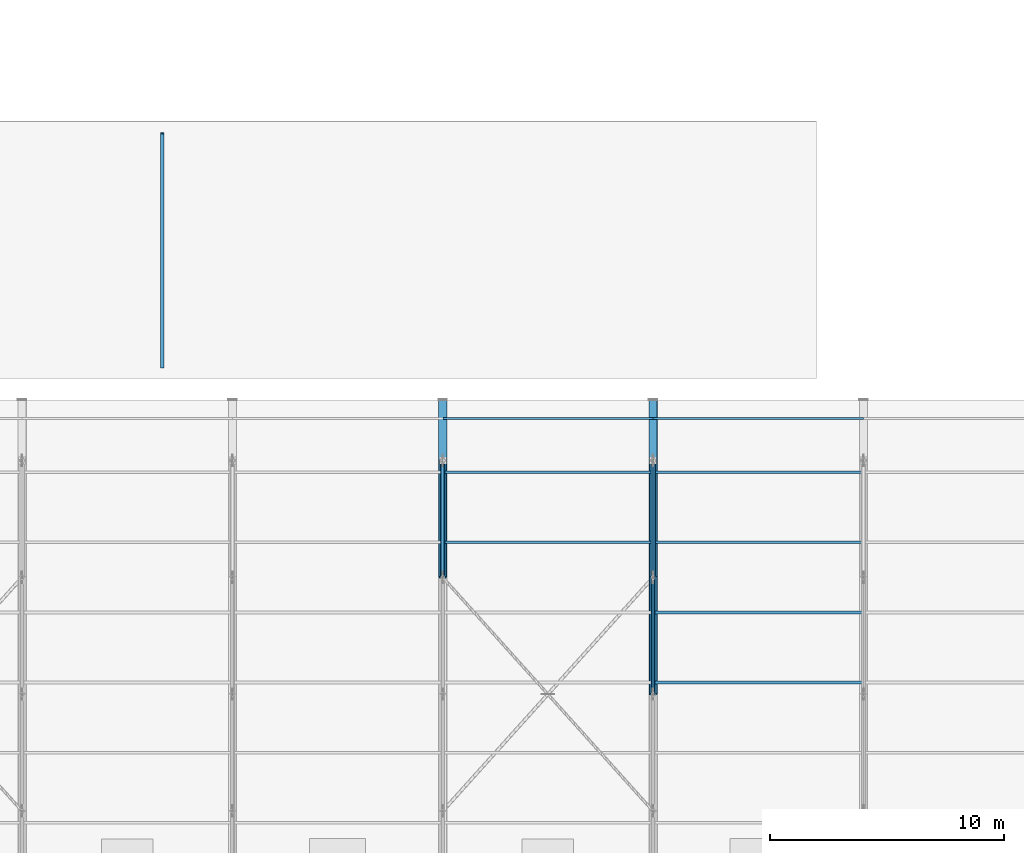
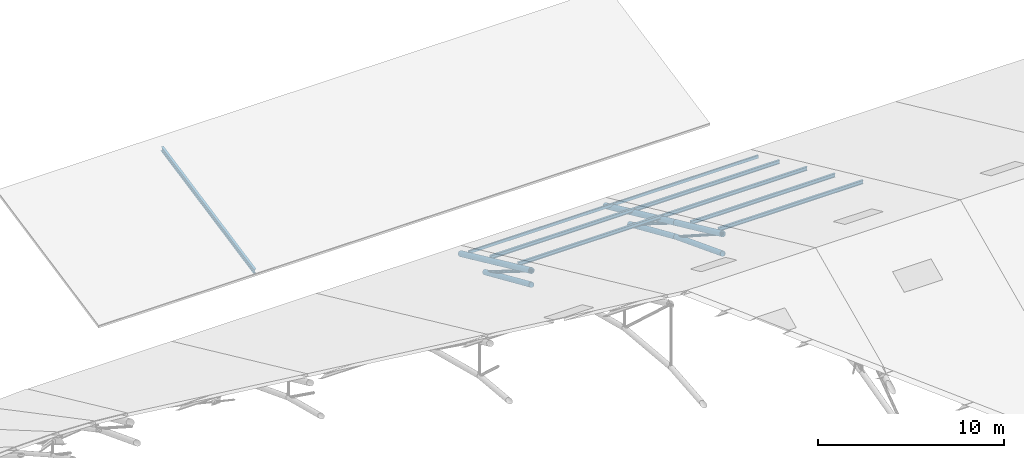
# One storey, part 47 of 107: 18 members.
"""IFC4 building model written with IfcOpenShell, lengths in metres."""

from ifc_helpers import new_model, si_unit, derived_unit, direction, frame, origin, origin_2d, place, context, subcontext, project, spatial, hollow_rectangle, hollow_circle, i_section, extrude, material, material_profile, profile_set, type_object, element, save


model = new_model("IFC4")

# Units and contexts
model_context = context("Model", 3, precision=1e-05, world=origin(), true_north=direction((0.0, 1.0)))
body_context = subcontext(model_context, "Body", "Model", "MODEL_VIEW")
ifc_project = project(units=[si_unit("LENGTHUNIT", "METRE"), si_unit("AREAUNIT", "SQUARE_METRE"), si_unit("VOLUMEUNIT", "CUBIC_METRE"), si_unit("PLANEANGLEUNIT", "RADIAN"), si_unit("MASSUNIT", "GRAM", prefix="KILO"), si_unit("THERMODYNAMICTEMPERATUREUNIT", "KELVIN"), si_unit("TIMEUNIT", "SECOND"), derived_unit("THERMALTRANSMITTANCEUNIT", [(si_unit("MASSUNIT", "GRAM", prefix="KILO"), 1), (si_unit("THERMODYNAMICTEMPERATUREUNIT", "KELVIN"), -1), (si_unit("TIMEUNIT", "SECOND"), -3)])], contexts=[model_context])

# Site, building, storey
site_placement = place(None, origin())
site = spatial("IfcSite", under=ifc_project, at=site_placement, CompositionType="ELEMENT")
building_placement = place(site_placement, origin())
building = spatial("IfcBuilding", under=site, at=building_placement, Name="Cambertide Market Hall", CompositionType="ELEMENT")
storey_placement = place(building_placement, frame((0.0, 0.0, 18.300048828125)))
storey = spatial("IfcBuildingStorey", under=building, at=storey_placement, Name="RF", CompositionType="ELEMENT", Elevation=18.300048828125)

# Members
ifc_material_1 = material(Name="Steel S355", Category="steel")
ifc_material_profile_1 = material_profile(ifc_material_1, hollow_circle(Radius=0.161865234375, WallThickness=0.010009765625, at=origin_2d()), Name="CHS 323.9x10")
ifc_profile_set_1 = profile_set([ifc_material_profile_1], Name="Steel S355")
member_type_1 = type_object("IfcMemberType", Name="Arched Truss Chord CHS 323.9x10", PredefinedType="CHORD", material=ifc_profile_set_1)
member_1_placement = place(storey_placement, frame((69.0, 87.0, -8.1767578125), z_axis=(0.0, 0.915087583381, -0.403255148438), x_axis=(-1.0, 0.0, 0.0)))
element("IfcMember", 1, at=member_1_placement, inside=storey, type_object=member_type_1, Name="Roof Truss 4 Arched Bottom Chord 8", PredefinedType="CHORD", context=body_context, shape_type="SweptSolid", body=[
    extrude(hollow_circle(Radius=0.161865234375, WallThickness=0.010009765625, at=origin_2d()), origin(), (0.0, 0.0, 1.0), 5.4638671875),
])
member_2_placement = place(storey_placement, frame((78.0, 82.0, -6.251220703125), z_axis=(0.0, 0.933191676524, -0.359379040661), x_axis=(-1.0, 0.0, 0.0)))
element("IfcMember", 2, at=member_2_placement, inside=storey, type_object=member_type_1, Name="Roof Truss 5 Arched Bottom Chord 7", PredefinedType="CHORD", context=body_context, shape_type="SweptSolid", body=[
    extrude(hollow_circle(Radius=0.161865234375, WallThickness=0.010009765625, at=origin_2d()), origin(), (0.0, 0.0, 1.0), 5.35791015625),
])
member_3_placement = place(storey_placement, frame((78.0, 87.0, -8.1767578125), z_axis=(0.0, 0.915087583381, -0.403255148438), x_axis=(-1.0, 0.0, 0.0)))
element("IfcMember", 3, at=member_3_placement, inside=storey, type_object=member_type_1, Name="Roof Truss 5 Arched Bottom Chord 8", PredefinedType="CHORD", context=body_context, shape_type="SweptSolid", body=[
    extrude(hollow_circle(Radius=0.161865234375, WallThickness=0.010009765625, at=origin_2d()), origin(), (0.0, 0.0, 1.0), 5.4638671875),
])
ifc_material_2 = material(Name="Steel S355", Category="steel")
ifc_material_profile_2 = material_profile(ifc_material_2, hollow_circle(Radius=0.177734375, WallThickness=0.012451171875, at=origin_2d()), Name="CHS 355.6x12.5")
ifc_profile_set_2 = profile_set([ifc_material_profile_2], Name="Steel S355")
member_type_2 = type_object("IfcMemberType", Name="Arched Truss Chord CHS 355.6x12.5", PredefinedType="CHORD", material=ifc_profile_set_2)
member_4_placement = place(storey_placement, frame((78.0, 82.0, -4.949951171875), z_axis=(0.0, 0.908487084298, -0.417912930721), x_axis=(-1.0, 0.0, 0.0)))
element("IfcMember", 4, at=member_4_placement, inside=storey, type_object=member_type_2, Name="Roof Truss 5 Top Chord 7", PredefinedType="CHORD", context=body_context, shape_type="SweptSolid", body=[
    extrude(hollow_circle(Radius=0.177734375, WallThickness=0.012451171875, at=origin_2d()), origin(), (0.0, 0.0, 1.0), 5.503662109375),
])
ifc_material_3 = material(Name="Steel S355", Category="steel")
ifc_material_profile_3 = material_profile(ifc_material_3, hollow_circle(Radius=0.177734375, WallThickness=0.012451171875, at=origin_2d()), Name="CHS 355.6x12.5")
ifc_profile_set_3 = profile_set([ifc_material_profile_3], Name="Steel S355")
member_type_3 = type_object("IfcMemberType", Name="Exterior Arched Truss Chord CHS 355.6x12.5", PredefinedType="CHORD", material=ifc_profile_set_3)
for number, where, z_axis, x_axis, name in (
    (5, (69.0, 87.0, -7.25), (0.0, 0.908488236671, -0.417910425606), (-1.0, 0.0, 0.0), "Roof Truss 4 Top Chord 8"),
    (6, (78.0, 87.0, -7.25), (0.0, 0.908488236671, -0.417910425606), (-1.0, 0.0, 0.0), "Roof Truss 5 Top Chord 8"),
):
    element("IfcMember", number, at=place(storey_placement, frame(where, z_axis=z_axis, x_axis=x_axis)), inside=storey, type_object=member_type_3, Name=name, PredefinedType="CHORD", context=body_context, shape_type="SweptSolid", body=[
        extrude(hollow_circle(Radius=0.177734375, WallThickness=0.012451171875, at=origin_2d()), origin(), (0.0, 0.0, 1.0), 8.36572265625),
    ])
ifc_material_4 = material(Name="Steel S355", Category="steel")
ifc_material_profile_4 = material_profile(ifc_material_4, i_section(OverallWidth=0.14990234375, OverallDepth=0.300048828125, WebThickness=0.007080078125, FlangeThickness=0.0107421875, FilletRadius=0.014892578125, at=origin_2d()), Name="IPE 300")
ifc_profile_set_4 = profile_set([ifc_material_profile_4], Name="Steel S355")
member_type_4 = type_object("IfcMemberType", Name="Exterior Radial Fan Rafter IPE 300", PredefinedType="RAFTER", material=ifc_profile_set_4)
member_5_placement = place(storey_placement, frame((57.0, 96.0, -8.56005859375), z_axis=(0.0, 0.980047952578, 0.198761189992), x_axis=(-1.0, 0.0, 0.0)))
element("IfcMember", 7, at=member_5_placement, inside=storey, type_object=member_type_4, Name="RAF-V2PAV-1", PredefinedType="RAFTER", context=body_context, shape_type="SweptSolid", body=[
    extrude(i_section(OverallWidth=0.14990234375, OverallDepth=0.300048828125, WebThickness=0.007080078125, FlangeThickness=0.0107421875, FilletRadius=0.014892578125, at=origin_2d()), origin(), (0.0, 0.0, 1.0), 10.20361328125),
])
ifc_material_5 = material(Name="Steel S275", Category="steel")
ifc_material_profile_5 = material_profile(ifc_material_5, hollow_rectangle(XDim=0.10009765625, YDim=0.199951171875, WallThickness=0.00634765625, InnerFilletRadius=0.00634765625, OuterFilletRadius=0.0126953125, at=origin_2d()), Name="RHS 200x100x6.3")
ifc_profile_set_5 = profile_set([ifc_material_profile_5], Name="Steel S275")
member_type_5 = type_object("IfcMemberType", Name="Exterior Roof Purlin RHS 200x100x6.3", PredefinedType="PURLIN", material=ifc_profile_set_5)
for number, where, z_axis, x_axis, name in (
    (8, (69.0, 93.800048828125, -10.16796875), (1.0, 0.0, 0.0), (0.0, 1.0, 0.0), "Barrel Roof Purlin 4-16"),
    (9, (78.0, 93.800048828125, -10.16796875), (1.0, 0.0, 0.0), (0.0, 1.0, 0.0), "Barrel Roof Purlin 5-16"),
):
    element("IfcMember", number, at=place(storey_placement, frame(where, z_axis=z_axis, x_axis=x_axis)), inside=storey, type_object=member_type_5, Name=name, PredefinedType="PURLIN", context=body_context, shape_type="SweptSolid", body=[
        extrude(hollow_rectangle(XDim=0.10009765625, YDim=0.199951171875, WallThickness=0.00634765625, InnerFilletRadius=0.00634765625, OuterFilletRadius=0.0126953125, at=origin_2d()), origin(), (0.0, 0.0, 1.0), 9.0),
    ])
ifc_material_6 = material(Name="Steel S275", Category="steel")
ifc_material_profile_6 = material_profile(ifc_material_6, i_section(OverallWidth=0.1201171875, OverallDepth=0.239990234375, WebThickness=0.006103515625, FlangeThickness=0.009765625, FilletRadius=0.014892578125, at=origin_2d()), Name="IPE 240")
ifc_profile_set_6 = profile_set([ifc_material_profile_6], Name="Steel S275")
member_type_6 = type_object("IfcMemberType", Name="Roof Purlin IPE 240", PredefinedType="PURLIN", material=ifc_profile_set_6)
for number, where, z_axis, x_axis, name in (
    (10, (69.0, 88.5, -7.72998046875), (1.0, 0.0, 0.0), (0.0, 1.0, 0.0), "Barrel Roof Purlin 4-14"),
    (11, (69.0, 91.5, -9.110107421875), (1.0, 0.0, 0.0), (0.0, 1.0, 0.0), "Barrel Roof Purlin 4-15"),
    (12, (78.0, 82.5, -4.969970703125), (1.0, 0.0, 0.0), (0.0, 1.0, 0.0), "Barrel Roof Purlin 5-12"),
    (13, (78.0, 85.5, -6.35009765625), (1.0, 0.0, 0.0), (0.0, 1.0, 0.0), "Barrel Roof Purlin 5-13"),
    (14, (78.0, 88.5, -7.72998046875), (1.0, 0.0, 0.0), (0.0, 1.0, 0.0), "Barrel Roof Purlin 5-14"),
    (15, (78.0, 91.5, -9.110107421875), (1.0, 0.0, 0.0), (0.0, 1.0, 0.0), "Barrel Roof Purlin 5-15"),
):
    element("IfcMember", number, at=place(storey_placement, frame(where, z_axis=z_axis, x_axis=x_axis)), inside=storey, type_object=member_type_6, Name=name, PredefinedType="PURLIN", context=body_context, shape_type="SweptSolid", body=[
        extrude(i_section(OverallWidth=0.1201171875, OverallDepth=0.239990234375, WebThickness=0.006103515625, FlangeThickness=0.009765625, FilletRadius=0.014892578125, at=origin_2d()), origin(), (0.0, 0.0, 1.0), 9.0),
    ])
ifc_material_7 = material(Name="Steel S355", Category="steel")
ifc_material_profile_7 = material_profile(ifc_material_7, hollow_circle(Radius=0.084228515625, WallThickness=0.00634765625, at=origin_2d()), Name="CHS 168.3x6.3")
ifc_profile_set_7 = profile_set([ifc_material_profile_7], Name="Steel S355")
member_type_7 = type_object("IfcMemberType", Name="Structural Brace CHS 168.3x6.3", PredefinedType="BRACE", material=ifc_profile_set_7)
member_6_placement = place(storey_placement, frame((78.0, 82.0, -4.949951171875), z_axis=(0.0, 0.840220073362, -0.542245542462), x_axis=(-1.0, 0.0, 0.0)))
element("IfcMember", 16, at=member_6_placement, inside=storey, type_object=member_type_7, Name="Roof Truss 5 Web Diagonal 7", PredefinedType="BRACE", context=body_context, shape_type="SweptSolid", body=[
    extrude(hollow_circle(Radius=0.084228515625, WallThickness=0.00634765625, at=origin_2d()), origin(), (0.0, 0.0, 1.0), 5.950927734375),
])
ifc_material_8 = material(Name="Steel S355", Category="steel")
ifc_material_profile_8 = material_profile(ifc_material_8, hollow_circle(Radius=0.096923828125, WallThickness=0.00634765625, at=origin_2d()), Name="CHS 193.7x6.3")
ifc_profile_set_8 = profile_set([ifc_material_profile_8], Name="Steel S355")
member_type_8 = type_object("IfcMemberType", Name="Structural Brace CHS 193.7x6.3", PredefinedType="BRACE", material=ifc_profile_set_8)
for number, where, z_axis, x_axis, name in (
    (17, (69.0, 87.0, -7.25), (0.0, 0.847607454032, -0.530623787507), (-1.0, 0.0, 0.0), "Roof Truss 4 Web Diagonal 8"),
    (18, (78.0, 87.0, -7.25), (0.0, 0.847607454032, -0.530623787507), (-1.0, 0.0, 0.0), "Roof Truss 5 Web Diagonal 8"),
):
    element("IfcMember", number, at=place(storey_placement, frame(where, z_axis=z_axis, x_axis=x_axis)), inside=storey, type_object=member_type_8, Name=name, PredefinedType="BRACE", context=body_context, shape_type="SweptSolid", body=[
        extrude(hollow_circle(Radius=0.096923828125, WallThickness=0.00634765625, at=origin_2d()), origin(), (0.0, 0.0, 1.0), 5.89892578125),
    ])

save(model, "model.ifc")
